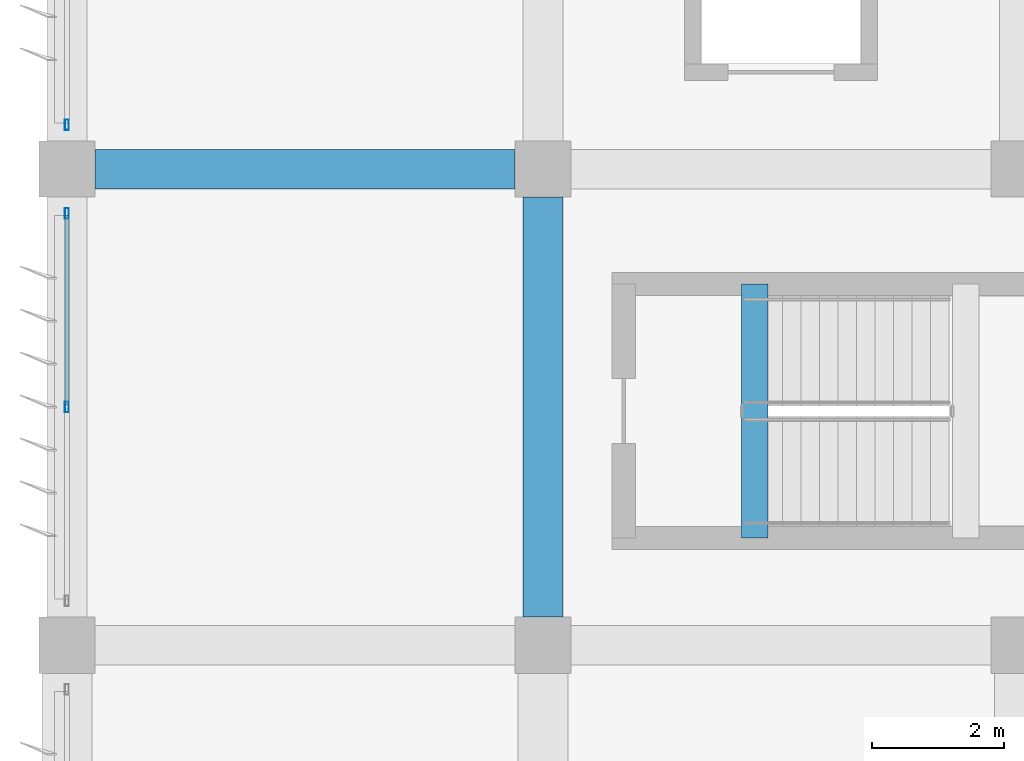
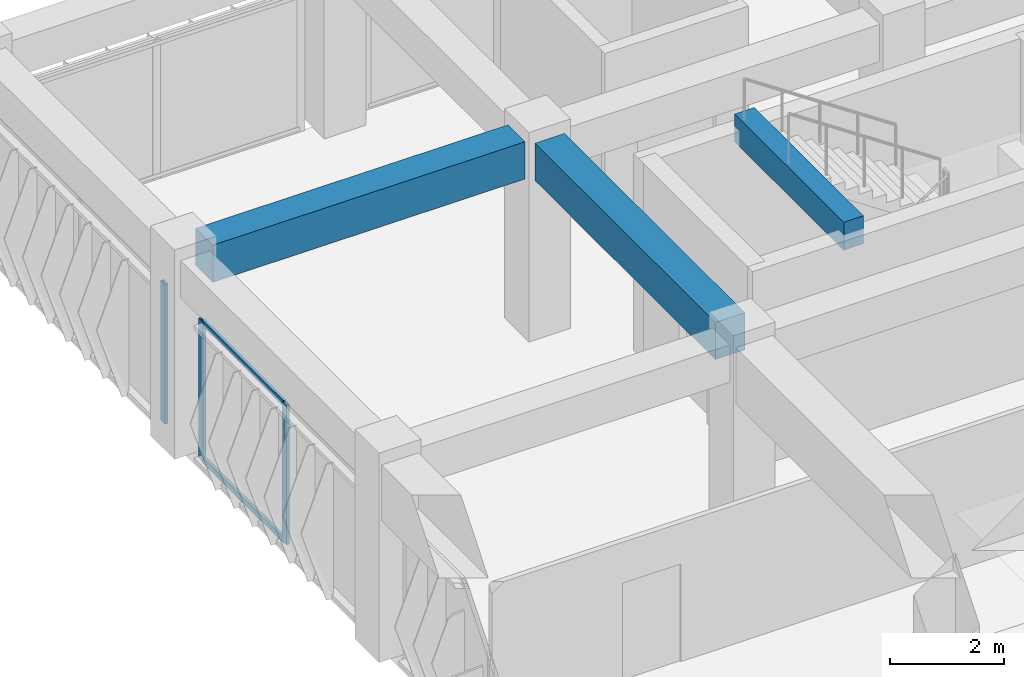
# One storey, part 9 of 56: 5 members, 3 beams, 2 elements without a shape of their own.
"""IFC4 building model written with IfcOpenShell, lengths in metres."""

from ifc_helpers import new_model, si_unit, direction, frame, origin, origin_2d, place, context, subcontext, project, spatial, rectangle, hollow_rectangle, extrude, material, material_profile, profile_set, type_object, element, aggregate, save


model = new_model("IFC4")

# Units and contexts
model_context = context("Model", 3, precision=1e-05, world=origin(), true_north=direction((0.0, 1.0)))
body_context = subcontext(model_context, "Body", "Model", "MODEL_VIEW")
ifc_project = project(units=[si_unit("LENGTHUNIT", "METRE"), si_unit("AREAUNIT", "SQUARE_METRE"), si_unit("VOLUMEUNIT", "CUBIC_METRE"), si_unit("PLANEANGLEUNIT", "RADIAN"), si_unit("MASSUNIT", "GRAM", prefix="KILO")], contexts=[model_context])

# Site, building, storey
site_placement = place(None, origin())
site = spatial("IfcSite", under=ifc_project, at=site_placement, CompositionType="ELEMENT")
building_placement = place(site_placement, origin())
building = spatial("IfcBuilding", under=site, at=building_placement, Name="Kazehaya Institute of Natural Sciences", CompositionType="ELEMENT")
storey_placement = place(building_placement, frame((0.0, 0.0, 24.300048828125)))
storey = spatial("IfcBuildingStorey", under=building, at=storey_placement, Name="L05", CompositionType="ELEMENT", Elevation=24.300048828125)

# Beams
ifc_material_1 = material(Name="Concrete Fc36", Category="concrete")
ifc_material_profile_1 = material_profile(ifc_material_1, rectangle(XDim=0.39990234375, YDim=0.60009765625, at=origin_2d()), Name="RC-400x600")
ifc_profile_set_1 = profile_set([ifc_material_profile_1], Name="Concrete Fc36")
beam_type_1 = type_object("IfcBeamType", Name="BM-B-400x600", PredefinedType="BEAM", material=ifc_profile_set_1)
beam_placement = place(storey_placement, frame((65.0, 22.820068359375, 4.199951171875), z_axis=(0.0, 1.0, 0.0), x_axis=(-1.0, 0.0, 0.0)))
element("IfcBeam", 1, at=beam_placement, inside=storey, type_object=beam_type_1, Name="L06 ST-1 stair header trimmer beam", PredefinedType="BEAM", context=body_context, shape_type="SweptSolid", body=[
    extrude(rectangle(XDim=0.39990234375, YDim=0.60009765625, at=origin_2d()), origin(), (0.0, 0.0, 1.0), 3.83984375),
])
ifc_material_profile_2 = material_profile(ifc_material_1, rectangle(XDim=0.60009765625, YDim=0.800048828125, at=origin_2d()), Name="RC-600x800")
ifc_profile_set_2 = profile_set([ifc_material_profile_2], Name="Concrete Fc36")
beam_type_2 = type_object("IfcBeamType", Name="BM-G-600x800", PredefinedType="BEAM", material=ifc_profile_set_2)
for number, where, z_axis, x_axis, name in (
    (2, (55.02490234375, 28.39990234375, 3.829833984375), (1.0, 0.0, 0.0), (0.0, 1.0, 0.0), "L05 primary X girder BMX-L05-546-284"),
    (3, (61.800048828125, 21.625, 3.829833984375), (0.0, 1.0, 0.0), (-1.0, 0.0, 0.0), "L05 primary Y girder BMY-L05-618-212"),
):
    element("IfcBeam", number, at=place(storey_placement, frame(where, z_axis=z_axis, x_axis=x_axis)), inside=storey, type_object=beam_type_2, Name=name, PredefinedType="BEAM", context=body_context, shape_type="SweptSolid", body=[
        extrude(rectangle(XDim=0.60009765625, YDim=0.800048828125, at=origin_2d()), origin(), (0.0, 0.0, 1.0), 6.35009765625),
    ])

# Curtain wall, members
ifc_material_2 = material(Name="Aluminium alloy A6063S-T5", Category="aluminium")
curtain_wall_type = type_object("IfcCurtainWallType", Name="CW-SYS-10", PredefinedType="NOTDEFINED", material=ifc_material_2)
curtain_wall_1_placement = place(storey_placement, origin())
curtain_wall_1 = element("IfcCurtainWall", 4, at=curtain_wall_1_placement, inside=storey, type_object=curtain_wall_type, Name="L05 unitised curtain wall CW-L05-116", PredefinedType="NOTDEFINED")
ifc_material_profile_3 = material_profile(ifc_material_2, hollow_rectangle(XDim=0.06005859375, YDim=0.159912109375, WallThickness=0.00390625, at=origin_2d()), Name="ALU-60x160x4")
ifc_profile_set_3 = profile_set([ifc_material_profile_3], Name="Aluminium alloy A6063S-T5")
member_type_1 = type_object("IfcMemberType", Name="CWM-160", PredefinedType="MULLION", material=ifc_profile_set_3)
member_1_placement = place(storey_placement, frame((54.60009765625, 24.800048828125, 0.0), z_axis=(0.0, 0.0, 1.0), x_axis=(-1.0, 0.0, 0.0)))
member_1 = element("IfcMember", 5, at=member_1_placement, type_object=member_type_1, Name="CW10 mullion 2", PredefinedType="MULLION", context=body_context, shape_type="SweptSolid", body=[
    extrude(hollow_rectangle(XDim=0.06005859375, YDim=0.159912109375, WallThickness=0.00390625, at=origin_2d()), origin(), (0.0, 0.0, 1.0), 3.0),
])
member_2_placement = place(storey_placement, frame((54.60009765625, 27.72998046875, 0.0), z_axis=(0.0, 0.0, 1.0), x_axis=(-1.0, 0.0, 0.0)))
member_2 = element("IfcMember", 6, at=member_2_placement, type_object=member_type_1, Name="CW10 mullion 3", PredefinedType="MULLION", context=body_context, shape_type="SweptSolid", body=[
    extrude(hollow_rectangle(XDim=0.06005859375, YDim=0.159912109375, WallThickness=0.00390625, at=origin_2d()), origin(), (0.0, 0.0, 1.0), 3.0),
])

# Curtain wall, member
curtain_wall_2_placement = place(storey_placement, origin())
curtain_wall_2 = element("IfcCurtainWall", 7, at=curtain_wall_2_placement, inside=storey, type_object=curtain_wall_type, Name="L05 unitised curtain wall CW-L05-118", PredefinedType="NOTDEFINED")
member_3_placement = place(storey_placement, frame((54.60009765625, 29.070068359375, 0.0), z_axis=(0.0, 0.0, 1.0), x_axis=(-1.0, 0.0, 0.0)))
member_3 = element("IfcMember", 8, at=member_3_placement, type_object=member_type_1, Name="CW10 mullion 1", PredefinedType="MULLION", context=body_context, shape_type="SweptSolid", body=[
    extrude(hollow_rectangle(XDim=0.06005859375, YDim=0.159912109375, WallThickness=0.00390625, at=origin_2d()), origin(), (0.0, 0.0, 1.0), 3.0),
])
aggregate(curtain_wall_2, [member_3])

# Member
ifc_material_profile_4 = material_profile(ifc_material_2, hollow_rectangle(XDim=0.06005859375, YDim=0.1201171875, WallThickness=0.00341796875, at=origin_2d()), Name="ALU-60x120x3.5")
ifc_profile_set_4 = profile_set([ifc_material_profile_4], Name="Aluminium alloy A6063S-T5")
member_type_2 = type_object("IfcMemberType", Name="CWT-120", PredefinedType="USERDEFINED", material=ifc_profile_set_4)
member_4_placement = place(storey_placement, frame((54.60009765625, 24.830078125, 0.030029296875), z_axis=(0.0, 1.0, 0.0), x_axis=(-1.0, 0.0, 0.0)))
member_4 = element("IfcMember", 9, at=member_4_placement, type_object=member_type_2, Name="CW10 transom 2.1", ObjectType="TRANSOM", PredefinedType="USERDEFINED", context=body_context, shape_type="SweptSolid", body=[
    extrude(hollow_rectangle(XDim=0.06005859375, YDim=0.1201171875, WallThickness=0.00341796875, at=origin_2d()), origin(), (0.0, 0.0, 1.0), 2.869873046875),
])

member_5_placement = place(storey_placement, frame((54.60009765625, 24.830078125, 2.969970703125), z_axis=(0.0, 1.0, 0.0), x_axis=(-1.0, 0.0, 0.0)))
member_5 = element("IfcMember", 10, at=member_5_placement, type_object=member_type_2, Name="CW10 transom 2.2", ObjectType="TRANSOM", PredefinedType="USERDEFINED", context=body_context, shape_type="SweptSolid", body=[
    extrude(hollow_rectangle(XDim=0.06005859375, YDim=0.1201171875, WallThickness=0.00341796875, at=origin_2d()), origin(), (0.0, 0.0, 1.0), 2.869873046875),
])

aggregate(curtain_wall_1, [member_1, member_2, member_4, member_5])

save(model, "model.ifc")
